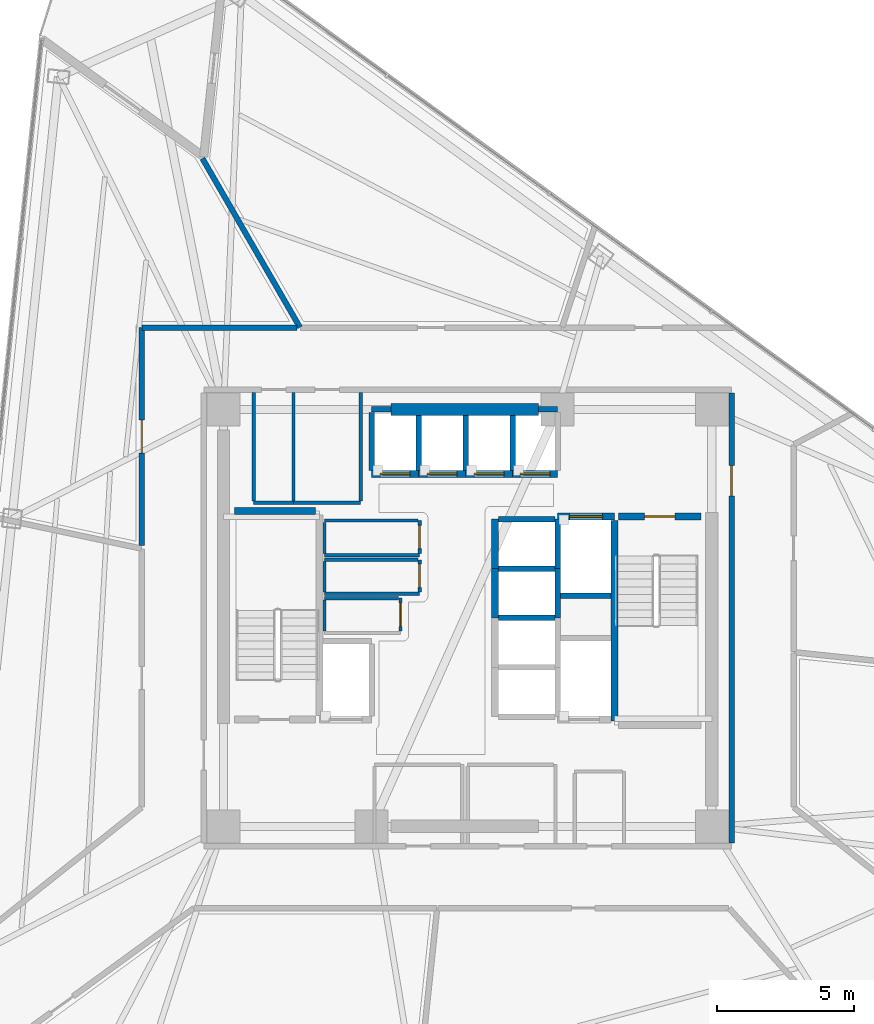
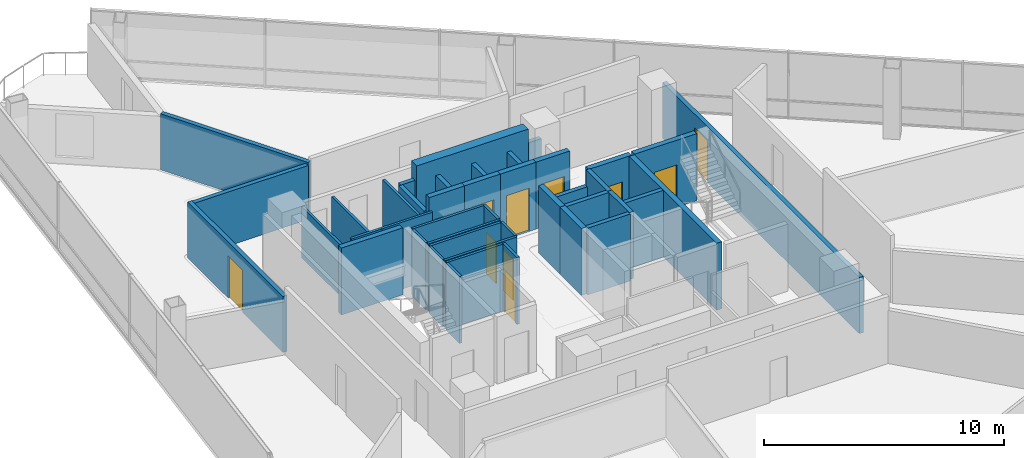
# One storey, part 12 of 19: 43 walls, 11 doors, 11 openings.
"""IFC4 building model written with IfcOpenShell, lengths in metres."""

from ifc_helpers import new_model, si_unit, direction, frame, frame_2d, origin, place, context, subcontext, project, spatial, rectangle, extrude, material, layer, layer_set, type_object, element, fill, save


model = new_model("IFC4")

# Units and contexts
model_context = context("Model", 3, precision=1e-05, world=origin(), true_north=direction((0.0, 1.0)))
body_context = subcontext(model_context, "Body", "Model", "MODEL_VIEW")
ifc_project = project(units=[si_unit("LENGTHUNIT", "METRE"), si_unit("AREAUNIT", "SQUARE_METRE"), si_unit("VOLUMEUNIT", "CUBIC_METRE"), si_unit("PLANEANGLEUNIT", "RADIAN"), si_unit("MASSUNIT", "GRAM", prefix="KILO")], contexts=[model_context])

# Site, building, storey
site_placement = place(None, origin())
site = spatial("IfcSite", under=ifc_project, at=site_placement, CompositionType="ELEMENT")
building_placement = place(site_placement, origin())
building = spatial("IfcBuilding", under=site, at=building_placement, Name="Tharavind Bronze Gate", CompositionType="ELEMENT")
storey_placement = place(building_placement, frame((0.0, 0.0, 126.85009765625)))
storey = spatial("IfcBuildingStorey", under=building, at=storey_placement, Name="L32", CompositionType="ELEMENT", Elevation=126.85009765625)

# Wall, opening, door
ifc_material_1 = material(Name="Aerated Concrete Block", Category="concrete")
ifc_layer_1 = layer(ifc_material_1, 0.199951171875)
ifc_layer_set_1 = layer_set([ifc_layer_1], Name="Aerated Concrete Block")
wall_type_1 = type_object("IfcWallType", Name="FIRE RATED PARTITION 200", PredefinedType="PARTITIONING", material=ifc_layer_set_1)
wall_1_placement = place(storey_placement, frame((9.6201171875, -8.199951171875, 0.0), z_axis=(0.0, 0.0, 1.0), x_axis=(0.0, 1.0, 0.0)))
wall_1 = element("IfcWall", 1, at=wall_1_placement, inside=storey, type_object=wall_type_1, Name="L32 east core corridor wall", PredefinedType="PARTITIONING", context=body_context, shape_type="SweptSolid", body=[
    extrude(rectangle(XDim=16.39990234375, YDim=0.199951171875, at=frame_2d((8.199951171875, 0.0))), origin(), (0.0, 0.0, 1.0), 2.85498046875),
])
opening_1_placement = place(wall_1_placement, frame((12.64990234375, 0.0, 0.0)))
opening_1 = element("IfcOpeningElement", 2, at=opening_1_placement, cuts=wall_1, Name="Opening ID01", PredefinedType="OPENING", context=body_context, shape_type="SweptSolid", body=[
    extrude(rectangle(XDim=1.10009765625, YDim=2.14990234375, at=frame_2d((0.550048828125, 1.074951171875))), frame((0.0, 0.11009765625, 0.0), z_axis=(0.0, -1.0, 0.0), x_axis=(1.0, 0.0, 0.0)), (0.0, 0.0, 1.0), 0.219951171875),
])
ifc_material_2 = material(Name="Fire-Rated Steel", Category="steel")
door_type_1 = type_object("IfcDoorType", Name="STAIR CORE FIRE DOOR 1100X2150", OperationType="SINGLE_SWING_LEFT", PredefinedType="DOOR", material=ifc_material_2)
door_1_placement = place(opening_1_placement, frame((1.10009765625, 0.0, 0.0), z_axis=(0.0, 0.0, 1.0), x_axis=(-1.0, 0.0, 0.0)))
door_1 = element("IfcDoor", 3, at=door_1_placement, inside=storey, type_object=door_type_1, Name="L32 north east stair lobby fire door", OperationType="SINGLE_SWING_LEFT", OverallHeight=2.14990234375, OverallWidth=1.10009765625, PredefinedType="DOOR", context=body_context, shape_type="SweptSolid", body=[
    extrude(rectangle(XDim=1.10009765625, YDim=2.14990234375, at=frame_2d((0.550048828125, 1.074951171875))), frame((0.0, 0.02490234375, 0.0), z_axis=(0.0, -1.0, 0.0), x_axis=(1.0, 0.0, 0.0)), (0.0, 0.0, 1.0), 0.050048828125),
])
fill(opening_1, door_1)

# Walls
wall_2_placement = place(storey_placement, frame((-6.115478515625, 10.592529296875, 0.0), z_axis=(0.0, 0.0, 1.0), x_axis=(-0.50001885532, 0.866014517387, 0.0)))
element("IfcWall", 4, at=wall_2_placement, inside=storey, type_object=wall_type_1, Name="L32 Risk Analytics Office partition", PredefinedType="PARTITIONING", context=body_context, shape_type="SweptSolid", body=[
    extrude(rectangle(XDim=7.106201171875, YDim=0.199951171875, at=frame_2d((3.55322265625, 0.0))), origin(), (0.0, 0.0, 1.0), 2.85498046875),
])
wall_3_placement = place(storey_placement, frame((-6.2294921875, 10.580078125, 0.0), z_axis=(0.0, 0.0, 1.0), x_axis=(-1.0, 0.0, 0.0)))
element("IfcWall", 5, at=wall_3_placement, inside=storey, type_object=wall_type_1, Name="L32 Compliance Boardroom partition", PredefinedType="PARTITIONING", context=body_context, shape_type="SweptSolid", body=[
    extrude(rectangle(XDim=5.64990234375, YDim=0.199951171875, at=frame_2d((2.824951171875, 0.0))), origin(), (0.0, 0.0, 1.0), 2.7548828125),
])

# Wall, opening, door
wall_4_placement = place(storey_placement, frame((-11.8798828125, 10.579345703125, 0.0), z_axis=(0.0, 0.0, 1.0), x_axis=(0.0, -1.0, 0.0)))
wall_4 = element("IfcWall", 6, at=wall_4_placement, inside=storey, type_object=wall_type_1, Name="L32 Compliance Boardroom partition", PredefinedType="PARTITIONING", context=body_context, shape_type="SweptSolid", body=[
    extrude(rectangle(XDim=7.94677734375, YDim=0.199951171875, at=frame_2d((3.973388671875, 0.0))), origin(), (0.0, 0.0, 1.0), 2.85498046875),
])
opening_2_placement = place(wall_4_placement, frame((3.373046875, 0.0, 0.0)))
opening_2 = element("IfcOpeningElement", 7, at=opening_2_placement, cuts=wall_4, Name="Opening ID05", PredefinedType="OPENING", context=body_context, shape_type="SweptSolid", body=[
    extrude(rectangle(XDim=1.199951171875, YDim=2.14990234375, at=frame_2d((0.60009765625, 1.074951171875))), frame((0.0, 0.11009765625, 0.0), z_axis=(0.0, -1.0, 0.0), x_axis=(1.0, 0.0, 0.0)), (0.0, 0.0, 1.0), 0.219951171875),
])
ifc_material_3 = material(Name="Acoustic Laminated Glass", Category="glass")
door_type_2 = type_object("IfcDoorType", Name="MEETING ROOM GLAZED DOOR 1200X2150", OperationType="SINGLE_SWING_LEFT", PredefinedType="DOOR", material=ifc_material_3)
door_2_placement = place(opening_2_placement, origin())
door_2 = element("IfcDoor", 8, at=door_2_placement, inside=storey, type_object=door_type_2, Name="L32 Compliance Boardroom door", OperationType="SINGLE_SWING_LEFT", OverallHeight=2.14990234375, OverallWidth=1.199951171875, PredefinedType="DOOR", context=body_context, shape_type="SweptSolid", body=[
    extrude(rectangle(XDim=1.199951171875, YDim=2.14990234375, at=frame_2d((0.60009765625, 1.074951171875))), frame((0.0, 0.02490234375, 0.0), z_axis=(0.0, -1.0, 0.0), x_axis=(1.0, 0.0, 0.0)), (0.0, 0.0, 1.0), 0.050048828125),
])
fill(opening_2, door_2)

# Wall
ifc_material_4 = material(Name="Metal Stud Gypsum Partition", Category="gypsum")
ifc_layer_2 = layer(ifc_material_4, 0.1201171875)
ifc_layer_set_2 = layer_set([ifc_layer_2], Name="Metal Stud Gypsum Partition")
wall_type_2 = type_object("IfcWallType", Name="INTERIOR PARTITION WALL 120", PredefinedType="PARTITIONING", material=ifc_layer_set_2)
wall_5_placement = place(storey_placement, frame((-5.219970703125, 2.280029296875, 0.0), z_axis=(0.0, 0.0, 1.0), x_axis=(1.0, 0.0, 0.0)))
element("IfcWall", 9, at=wall_5_placement, inside=storey, type_object=wall_type_2, Name="L32 Housekeeping Linen Store partition 1", PredefinedType="PARTITIONING", context=body_context, shape_type="SweptSolid", body=[
    extrude(rectangle(XDim=3.469970703125, YDim=0.1201171875, at=frame_2d((1.73486328125, 0.0))), origin(), (0.0, 0.0, 1.0), 3.409912109375),
])

# Wall, opening, door
wall_6_placement = place(storey_placement, frame((-1.75, 2.344970703125, 0.0), z_axis=(0.0, 0.0, 1.0), x_axis=(0.0, 1.0, 0.0)))
wall_6 = element("IfcWall", 10, at=wall_6_placement, inside=storey, type_object=wall_type_2, Name="L32 Housekeeping Linen Store partition 2", PredefinedType="PARTITIONING", context=body_context, shape_type="SweptSolid", body=[
    extrude(rectangle(XDim=1.205078125, YDim=0.1201171875, at=frame_2d((0.6025390625, 0.0))), origin(), (0.0, 0.0, 1.0), 3.409912109375),
])
opening_3_placement = place(wall_6_placement, frame((0.177001953125, 0.0, 0.0)))
opening_3 = element("IfcOpeningElement", 11, at=opening_3_placement, cuts=wall_6, Name="Opening ID06", PredefinedType="OPENING", context=body_context, shape_type="SweptSolid", body=[
    extrude(rectangle(XDim=0.85009765625, YDim=2.10009765625, at=frame_2d((0.425048828125, 1.050048828125))), frame((0.0, 0.07005859375, 0.0), z_axis=(0.0, -1.0, 0.0), x_axis=(1.0, 0.0, 0.0)), (0.0, 0.0, 1.0), 0.1401171875),
])
ifc_material_5 = material(Name="Moisture-Resistant Timber", Category="wood")
door_type_3 = type_object("IfcDoorType", Name="BATHROOM PRIVACY DOOR 850X2100", OperationType="SINGLE_SWING_RIGHT", PredefinedType="DOOR", material=ifc_material_5)
door_3_placement = place(opening_3_placement, frame((0.85009765625, 0.0, 0.0), z_axis=(0.0, 0.0, 1.0), x_axis=(-1.0, 0.0, 0.0)))
door_3 = element("IfcDoor", 12, at=door_3_placement, inside=storey, type_object=door_type_3, Name="L32 Housekeeping Linen Store door", OperationType="SINGLE_SWING_RIGHT", OverallHeight=2.10009765625, OverallWidth=0.85009765625, PredefinedType="DOOR", context=body_context, shape_type="SweptSolid", body=[
    extrude(rectangle(XDim=0.85009765625, YDim=2.10009765625, at=frame_2d((0.425048828125, 1.050048828125))), frame((0.0, 0.02490234375, 0.0), z_axis=(0.0, -1.0, 0.0), x_axis=(1.0, 0.0, 0.0)), (0.0, 0.0, 1.0), 0.050048828125),
])
fill(opening_3, door_3)

# Walls
wall_7_placement = place(storey_placement, frame((-1.81494140625, 3.550048828125, 0.0), z_axis=(0.0, 0.0, 1.0), x_axis=(-1.0, 0.0, 0.0)))
element("IfcWall", 13, at=wall_7_placement, inside=storey, type_object=wall_type_2, Name="L32 Housekeeping Linen Store partition 3", PredefinedType="PARTITIONING", context=body_context, shape_type="SweptSolid", body=[
    extrude(rectangle(XDim=3.405029296875, YDim=0.1201171875, at=frame_2d((1.70263671875, 0.0))), origin(), (0.0, 0.0, 1.0), 3.409912109375),
])
wall_8_placement = place(storey_placement, frame((-5.219970703125, 3.485107421875, 0.0), z_axis=(0.0, 0.0, 1.0), x_axis=(0.0, -1.0, 0.0)))
element("IfcWall", 14, at=wall_8_placement, inside=storey, type_object=wall_type_2, Name="L32 Housekeeping Linen Store partition 4", PredefinedType="PARTITIONING", context=body_context, shape_type="SweptSolid", body=[
    extrude(rectangle(XDim=1.14013671875, YDim=0.1201171875, at=frame_2d((0.570068359375, 0.0))), origin(), (0.0, 0.0, 1.0), 3.409912109375),
])
wall_9_placement = place(storey_placement, frame((-5.219970703125, 0.8798828125, 0.0), z_axis=(0.0, 0.0, 1.0), x_axis=(1.0, 0.0, 0.0)))
element("IfcWall", 15, at=wall_9_placement, inside=storey, type_object=wall_type_2, Name="L32 Comms Data Room partition 1", PredefinedType="PARTITIONING", context=body_context, shape_type="SweptSolid", body=[
    extrude(rectangle(XDim=3.469970703125, YDim=0.1201171875, at=frame_2d((1.73486328125, 0.0))), origin(), (0.0, 0.0, 1.0), 3.409912109375),
])

# Wall, opening, door
wall_10_placement = place(storey_placement, frame((-1.75, 0.945068359375, 0.0), z_axis=(0.0, 0.0, 1.0), x_axis=(0.0, 1.0, 0.0)))
wall_10 = element("IfcWall", 16, at=wall_10_placement, inside=storey, type_object=wall_type_2, Name="L32 Comms Data Room partition 2", PredefinedType="PARTITIONING", context=body_context, shape_type="SweptSolid", body=[
    extrude(rectangle(XDim=1.175048828125, YDim=0.1201171875, at=frame_2d((0.58740234375, 0.0))), origin(), (0.0, 0.0, 1.0), 3.409912109375),
])
opening_4_placement = place(wall_10_placement, frame((0.1630859375, 0.0, 0.0)))
opening_4 = element("IfcOpeningElement", 17, at=opening_4_placement, cuts=wall_10, Name="Opening ID06", PredefinedType="OPENING", context=body_context, shape_type="SweptSolid", body=[
    extrude(rectangle(XDim=0.85009765625, YDim=2.10009765625, at=frame_2d((0.425048828125, 1.050048828125))), frame((0.0, 0.07005859375, 0.0), z_axis=(0.0, -1.0, 0.0), x_axis=(1.0, 0.0, 0.0)), (0.0, 0.0, 1.0), 0.1401171875),
])
door_4_placement = place(opening_4_placement, frame((0.85009765625, 0.0, 0.0), z_axis=(0.0, 0.0, 1.0), x_axis=(-1.0, 0.0, 0.0)))
door_4 = element("IfcDoor", 18, at=door_4_placement, inside=storey, type_object=door_type_3, Name="L32 Comms Data Room door", OperationType="SINGLE_SWING_RIGHT", OverallHeight=2.10009765625, OverallWidth=0.85009765625, PredefinedType="DOOR", context=body_context, shape_type="SweptSolid", body=[
    extrude(rectangle(XDim=0.85009765625, YDim=2.10009765625, at=frame_2d((0.425048828125, 1.050048828125))), frame((0.0, 0.02490234375, 0.0), z_axis=(0.0, -1.0, 0.0), x_axis=(1.0, 0.0, 0.0)), (0.0, 0.0, 1.0), 0.050048828125),
])
fill(opening_4, door_4)

# Walls
wall_11_placement = place(storey_placement, frame((-1.81494140625, 2.1201171875, 0.0), z_axis=(0.0, 0.0, 1.0), x_axis=(-1.0, 0.0, 0.0)))
element("IfcWall", 19, at=wall_11_placement, inside=storey, type_object=wall_type_2, Name="L32 Comms Data Room partition 3", PredefinedType="PARTITIONING", context=body_context, shape_type="SweptSolid", body=[
    extrude(rectangle(XDim=3.405029296875, YDim=0.1201171875, at=frame_2d((1.70263671875, 0.0))), origin(), (0.0, 0.0, 1.0), 3.409912109375),
])
wall_12_placement = place(storey_placement, frame((-5.219970703125, 2.054931640625, 0.0), z_axis=(0.0, 0.0, 1.0), x_axis=(0.0, -1.0, 0.0)))
element("IfcWall", 20, at=wall_12_placement, inside=storey, type_object=wall_type_2, Name="L32 Comms Data Room partition 4", PredefinedType="PARTITIONING", context=body_context, shape_type="SweptSolid", body=[
    extrude(rectangle(XDim=1.10986328125, YDim=0.1201171875, at=frame_2d((0.554931640625, 0.0))), origin(), (0.0, 0.0, 1.0), 3.409912109375),
])

# Wall, opening, door
wall_13_placement = place(storey_placement, frame((-2.449951171875, -0.485107421875, 0.0), z_axis=(0.0, 0.0, 1.0), x_axis=(0.0, 1.0, 0.0)))
wall_13 = element("IfcWall", 21, at=wall_13_placement, inside=storey, type_object=wall_type_2, Name="L32 Electrical Metering Store partition 2", PredefinedType="PARTITIONING", context=body_context, shape_type="SweptSolid", body=[
    extrude(rectangle(XDim=1.205078125, YDim=0.1201171875, at=frame_2d((0.6025390625, 0.0))), origin(), (0.0, 0.0, 1.0), 3.409912109375),
])
opening_5_placement = place(wall_13_placement, frame((0.177978515625, 0.0, 0.0)))
opening_5 = element("IfcOpeningElement", 22, at=opening_5_placement, cuts=wall_13, Name="Opening ID06", PredefinedType="OPENING", context=body_context, shape_type="SweptSolid", body=[
    extrude(rectangle(XDim=0.85009765625, YDim=2.10009765625, at=frame_2d((0.425048828125, 1.050048828125))), frame((0.0, 0.07005859375, 0.0), z_axis=(0.0, -1.0, 0.0), x_axis=(1.0, 0.0, 0.0)), (0.0, 0.0, 1.0), 0.1401171875),
])
door_5_placement = place(opening_5_placement, frame((0.85009765625, 0.0, 0.0), z_axis=(0.0, 0.0, 1.0), x_axis=(-1.0, 0.0, 0.0)))
door_5 = element("IfcDoor", 23, at=door_5_placement, inside=storey, type_object=door_type_3, Name="L32 Electrical Metering Store door", OperationType="SINGLE_SWING_RIGHT", OverallHeight=2.10009765625, OverallWidth=0.85009765625, PredefinedType="DOOR", context=body_context, shape_type="SweptSolid", body=[
    extrude(rectangle(XDim=0.85009765625, YDim=2.10009765625, at=frame_2d((0.425048828125, 1.050048828125))), frame((0.0, 0.02490234375, 0.0), z_axis=(0.0, -1.0, 0.0), x_axis=(1.0, 0.0, 0.0)), (0.0, 0.0, 1.0), 0.050048828125),
])
fill(opening_5, door_5)

# Walls
wall_14_placement = place(storey_placement, frame((-2.514892578125, 0.719970703125, 0.0), z_axis=(0.0, 0.0, 1.0), x_axis=(-1.0, 0.0, 0.0)))
element("IfcWall", 24, at=wall_14_placement, inside=storey, type_object=wall_type_2, Name="L32 Electrical Metering Store partition 3", PredefinedType="PARTITIONING", context=body_context, shape_type="SweptSolid", body=[
    extrude(rectangle(XDim=2.705078125, YDim=0.1201171875, at=frame_2d((1.3525390625, 0.0))), origin(), (0.0, 0.0, 1.0), 3.409912109375),
])
wall_15_placement = place(storey_placement, frame((-5.219970703125, 0.655029296875, 0.0), z_axis=(0.0, 0.0, 1.0), x_axis=(0.0, -1.0, 0.0)))
element("IfcWall", 25, at=wall_15_placement, inside=storey, type_object=wall_type_2, Name="L32 Electrical Metering Store partition 4", PredefinedType="PARTITIONING", context=body_context, shape_type="SweptSolid", body=[
    extrude(rectangle(XDim=1.14013671875, YDim=0.1201171875, at=frame_2d((0.570068359375, 0.0))), origin(), (0.0, 0.0, 1.0), 3.409912109375),
])
wall_16_placement = place(storey_placement, frame((-7.800048828125, 4.199951171875, 0.0), z_axis=(0.0, 0.0, 1.0), x_axis=(1.0, 0.0, 0.0)))
element("IfcWall", 26, at=wall_16_placement, inside=storey, type_object=wall_type_2, Name="L32 Battery Backup Cupboard partition 1", PredefinedType="PARTITIONING", context=body_context, shape_type="SweptSolid", body=[
    extrude(rectangle(XDim=1.449951171875, YDim=0.1201171875, at=frame_2d((0.72509765625, 0.0))), origin(), (0.0, 0.0, 1.0), 3.409912109375),
])
for number, where, z_axis, x_axis, name in (
    (27, (-6.35009765625, 4.264892578125, 0.0), (0.0, 0.0, 1.0), (0.0, 1.0, 0.0), "L32 Battery Backup Cupboard partition 2"),
    (28, (-7.800048828125, 8.215087890625, 0.0), (0.0, 0.0, 1.0), (0.0, -1.0, 0.0), "L32 Battery Backup Cupboard partition 4"),
):
    element("IfcWall", number, at=place(storey_placement, frame(where, z_axis=z_axis, x_axis=x_axis)), inside=storey, type_object=wall_type_2, Name=name, PredefinedType="PARTITIONING", context=body_context, shape_type="SweptSolid", body=[
        extrude(rectangle(XDim=3.9501953125, YDim=0.1201171875, at=frame_2d((1.97509765625, 0.0))), origin(), (0.0, 0.0, 1.0), 2.60498046875),
    ])
wall_17_placement = place(storey_placement, frame((-6.35009765625, 4.199951171875, 0.0), z_axis=(0.0, 0.0, 1.0), x_axis=(1.0, 0.0, 0.0)))
element("IfcWall", 29, at=wall_17_placement, inside=storey, type_object=wall_type_2, Name="L32 Cleaner Store Room partition 1", PredefinedType="PARTITIONING", context=body_context, shape_type="SweptSolid", body=[
    extrude(rectangle(XDim=2.4501953125, YDim=0.1201171875, at=frame_2d((1.22509765625, 0.0))), origin(), (0.0, 0.0, 1.0), 3.409912109375),
])
wall_18_placement = place(storey_placement, frame((-3.89990234375, 4.264892578125, 0.0), z_axis=(0.0, 0.0, 1.0), x_axis=(0.0, 1.0, 0.0)))
element("IfcWall", 30, at=wall_18_placement, inside=storey, type_object=wall_type_2, Name="L32 Cleaner Store Room partition 2", PredefinedType="PARTITIONING", context=body_context, shape_type="SweptSolid", body=[
    extrude(rectangle(XDim=3.9501953125, YDim=0.1201171875, at=frame_2d((1.97509765625, 0.0))), origin(), (0.0, 0.0, 1.0), 2.60498046875),
])
ifc_material_6 = material(Name="Concrete C50/60", Category="concrete")
ifc_layer_3 = layer(ifc_material_6, 0.25)
ifc_layer_set_3 = layer_set([ifc_layer_3], Name="Concrete C50/60")
wall_type_3 = type_object("IfcWallType", Name="RC CORE SHEAR WALL 250", PredefinedType="SHEAR", material=ifc_layer_set_3)
wall_19_placement = place(storey_placement, frame((-8.5, 3.89990234375, 0.0), z_axis=(0.0, 0.0, 1.0), x_axis=(1.0, 0.0, 0.0)))
element("IfcWall", 31, at=wall_19_placement, inside=storey, type_object=wall_type_3, Name="L32 ST1 shaft north wall", PredefinedType="SHEAR", context=body_context, shape_type="SweptSolid", body=[
    extrude(rectangle(XDim=2.949951171875, YDim=0.25, at=frame_2d((1.47509765625, 0.0))), origin(), (0.0, 0.0, 1.0), 3.409912109375),
])
wall_20_placement = place(storey_placement, frame((5.35009765625, -3.75, 0.0), z_axis=(0.0, 0.0, 1.0), x_axis=(0.0, 1.0, 0.0)))
element("IfcWall", 32, at=wall_20_placement, inside=storey, type_object=wall_type_3, Name="L32 ST2 shaft west wall", PredefinedType="SHEAR", context=body_context, shape_type="SweptSolid", body=[
    extrude(rectangle(XDim=7.300048828125, YDim=0.25, at=frame_2d((3.64990234375, 0.0))), origin(), (0.0, 0.0, 1.0), 3.409912109375),
])

# Wall, opening, door
wall_21_placement = place(storey_placement, frame((5.5, 3.699951171875, 0.0), z_axis=(0.0, 0.0, 1.0), x_axis=(1.0, 0.0, 0.0)))
wall_21 = element("IfcWall", 33, at=wall_21_placement, inside=storey, type_object=wall_type_3, Name="L32 ST2 shaft north wall", PredefinedType="SHEAR", context=body_context, shape_type="SweptSolid", body=[
    extrude(rectangle(XDim=3.0, YDim=0.25, at=frame_2d((1.5, 0.0))), origin(), (0.0, 0.0, 1.0), 3.409912109375),
])
opening_6_placement = place(wall_21_placement, frame((0.949951171875, 0.0, 0.0)))
opening_6 = element("IfcOpeningElement", 34, at=opening_6_placement, cuts=wall_21, Name="Opening ID01", PredefinedType="OPENING", context=body_context, shape_type="SweptSolid", body=[
    extrude(rectangle(XDim=1.10009765625, YDim=2.14990234375, at=frame_2d((0.550048828125, 1.074951171875))), frame((0.0, 0.135, 0.0), z_axis=(0.0, -1.0, 0.0), x_axis=(1.0, 0.0, 0.0)), (0.0, 0.0, 1.0), 0.27),
])
door_6_placement = place(opening_6_placement, frame((1.10009765625, 0.0, 0.0), z_axis=(0.0, 0.0, 1.0), x_axis=(-1.0, 0.0, 0.0)))
door_6 = element("IfcDoor", 35, at=door_6_placement, inside=storey, type_object=door_type_1, Name="L32 exit stair ST2 fire door", OperationType="SINGLE_SWING_LEFT", OverallHeight=2.14990234375, OverallWidth=1.10009765625, PredefinedType="DOOR", context=body_context, shape_type="SweptSolid", body=[
    extrude(rectangle(XDim=1.10009765625, YDim=2.14990234375, at=frame_2d((0.550048828125, 1.074951171875))), frame((0.0, 0.02490234375, 0.0), z_axis=(0.0, -1.0, 0.0), x_axis=(1.0, 0.0, 0.0)), (0.0, 0.0, 1.0), 0.050048828125),
])
fill(opening_6, door_6)

wall_22_placement = place(storey_placement, frame((-3.5, 5.25, 0.0), z_axis=(0.0, 0.0, 1.0), x_axis=(1.0, 0.0, 0.0)))
wall_22 = element("IfcWall", 36, at=wall_22_placement, inside=storey, type_object=wall_type_3, Name="L32 lift PL5 shaft front wall", PredefinedType="SHEAR", context=body_context, shape_type="SweptSolid", body=[
    extrude(rectangle(XDim=1.71240234375, YDim=0.25, at=frame_2d((0.856201171875, 0.0))), origin(), (0.0, 0.0, 1.0), 3.409912109375),
])
opening_7_placement = place(wall_22_placement, frame((0.305908203125, 0.0, 0.0)))
opening_7 = element("IfcOpeningElement", 37, at=opening_7_placement, cuts=wall_22, Name="Opening LD01", PredefinedType="OPENING", context=body_context, shape_type="SweptSolid", body=[
    extrude(rectangle(XDim=1.10009765625, YDim=2.199951171875, at=frame_2d((0.550048828125, 1.10009765625))), frame((0.0, 0.135, 0.0), z_axis=(0.0, -1.0, 0.0), x_axis=(1.0, 0.0, 0.0)), (0.0, 0.0, 1.0), 0.27),
])
ifc_material_7 = material(Name="Brushed Bronze Stainless Steel", Category="steel")
door_type_4 = type_object("IfcDoorType", Name="LIFT LANDING SLIDING DOOR 1100X2200", OperationType="SLIDING_TO_LEFT", PredefinedType="DOOR", material=ifc_material_7)
door_7_placement = place(opening_7_placement, origin())
door_7 = element("IfcDoor", 38, at=door_7_placement, inside=storey, type_object=door_type_4, Name="L32 lift PL5 sliding landing door", OperationType="SLIDING_TO_LEFT", OverallHeight=2.199951171875, OverallWidth=1.10009765625, PredefinedType="DOOR", context=body_context, shape_type="SweptSolid", body=[
    extrude(rectangle(XDim=1.10009765625, YDim=2.199951171875, at=frame_2d((0.550048828125, 1.10009765625))), frame((0.0, 0.02490234375, 0.0), z_axis=(0.0, -1.0, 0.0), x_axis=(1.0, 0.0, 0.0)), (0.0, 0.0, 1.0), 0.050048828125),
])
fill(opening_7, door_7)

wall_23_placement = place(storey_placement, frame((-1.78759765625, 5.25, 0.0), z_axis=(0.0, 0.0, 1.0), x_axis=(1.0, 0.0, 0.0)))
wall_23 = element("IfcWall", 39, at=wall_23_placement, inside=storey, type_object=wall_type_3, Name="L32 lift PL6 shaft front wall", PredefinedType="SHEAR", context=body_context, shape_type="SweptSolid", body=[
    extrude(rectangle(XDim=1.712646484375, YDim=0.25, at=frame_2d((0.8564453125, 0.0))), origin(), (0.0, 0.0, 1.0), 3.409912109375),
])
opening_8_placement = place(wall_23_placement, frame((0.305908203125, 0.0, 0.0)))
opening_8 = element("IfcOpeningElement", 40, at=opening_8_placement, cuts=wall_23, Name="Opening LD01", PredefinedType="OPENING", context=body_context, shape_type="SweptSolid", body=[
    extrude(rectangle(XDim=1.10009765625, YDim=2.199951171875, at=frame_2d((0.550048828125, 1.10009765625))), frame((0.0, 0.135, 0.0), z_axis=(0.0, -1.0, 0.0), x_axis=(1.0, 0.0, 0.0)), (0.0, 0.0, 1.0), 0.27),
])
door_8_placement = place(opening_8_placement, origin())
door_8 = element("IfcDoor", 41, at=door_8_placement, inside=storey, type_object=door_type_4, Name="L32 lift PL6 sliding landing door", OperationType="SLIDING_TO_LEFT", OverallHeight=2.199951171875, OverallWidth=1.10009765625, PredefinedType="DOOR", context=body_context, shape_type="SweptSolid", body=[
    extrude(rectangle(XDim=1.10009765625, YDim=2.199951171875, at=frame_2d((0.550048828125, 1.10009765625))), frame((0.0, 0.02490234375, 0.0), z_axis=(0.0, -1.0, 0.0), x_axis=(1.0, 0.0, 0.0)), (0.0, 0.0, 1.0), 0.050048828125),
])
fill(opening_8, door_8)

wall_24_placement = place(storey_placement, frame((-0.074951171875, 5.25, 0.0), z_axis=(0.0, 0.0, 1.0), x_axis=(1.0, 0.0, 0.0)))
wall_24 = element("IfcWall", 42, at=wall_24_placement, inside=storey, type_object=wall_type_3, Name="L32 lift PL7 shaft front wall", PredefinedType="SHEAR", context=body_context, shape_type="SweptSolid", body=[
    extrude(rectangle(XDim=1.71240234375, YDim=0.25, at=frame_2d((0.856201171875, 0.0))), origin(), (0.0, 0.0, 1.0), 3.409912109375),
])
opening_9_placement = place(wall_24_placement, frame((0.305908203125, 0.0, 0.0)))
opening_9 = element("IfcOpeningElement", 43, at=opening_9_placement, cuts=wall_24, Name="Opening LD01", PredefinedType="OPENING", context=body_context, shape_type="SweptSolid", body=[
    extrude(rectangle(XDim=1.10009765625, YDim=2.199951171875, at=frame_2d((0.550048828125, 1.10009765625))), frame((0.0, 0.135, 0.0), z_axis=(0.0, -1.0, 0.0), x_axis=(1.0, 0.0, 0.0)), (0.0, 0.0, 1.0), 0.27),
])
door_9_placement = place(opening_9_placement, origin())
door_9 = element("IfcDoor", 44, at=door_9_placement, inside=storey, type_object=door_type_4, Name="L32 lift PL7 sliding landing door", OperationType="SLIDING_TO_LEFT", OverallHeight=2.199951171875, OverallWidth=1.10009765625, PredefinedType="DOOR", context=body_context, shape_type="SweptSolid", body=[
    extrude(rectangle(XDim=1.10009765625, YDim=2.199951171875, at=frame_2d((0.550048828125, 1.10009765625))), frame((0.0, 0.02490234375, 0.0), z_axis=(0.0, -1.0, 0.0), x_axis=(1.0, 0.0, 0.0)), (0.0, 0.0, 1.0), 0.050048828125),
])
fill(opening_9, door_9)

wall_25_placement = place(storey_placement, frame((1.637451171875, 5.25, 0.0), z_axis=(0.0, 0.0, 1.0), x_axis=(1.0, 0.0, 0.0)))
wall_25 = element("IfcWall", 45, at=wall_25_placement, inside=storey, type_object=wall_type_3, Name="L32 lift PL8 shaft front wall", PredefinedType="SHEAR", context=body_context, shape_type="SweptSolid", body=[
    extrude(rectangle(XDim=1.642578125, YDim=0.25, at=frame_2d((0.8212890625, 0.0))), origin(), (0.0, 0.0, 1.0), 3.409912109375),
])
opening_10_placement = place(wall_25_placement, frame((0.27099609375, 0.0, 0.0)))
opening_10 = element("IfcOpeningElement", 46, at=opening_10_placement, cuts=wall_25, Name="Opening LD01", PredefinedType="OPENING", context=body_context, shape_type="SweptSolid", body=[
    extrude(rectangle(XDim=1.10009765625, YDim=2.199951171875, at=frame_2d((0.550048828125, 1.10009765625))), frame((0.0, 0.135, 0.0), z_axis=(0.0, -1.0, 0.0), x_axis=(1.0, 0.0, 0.0)), (0.0, 0.0, 1.0), 0.27),
])
door_10_placement = place(opening_10_placement, origin())
door_10 = element("IfcDoor", 47, at=door_10_placement, inside=storey, type_object=door_type_4, Name="L32 lift PL8 sliding landing door", OperationType="SLIDING_TO_LEFT", OverallHeight=2.199951171875, OverallWidth=1.10009765625, PredefinedType="DOOR", context=body_context, shape_type="SweptSolid", body=[
    extrude(rectangle(XDim=1.10009765625, YDim=2.199951171875, at=frame_2d((0.550048828125, 1.10009765625))), frame((0.0, 0.02490234375, 0.0), z_axis=(0.0, -1.0, 0.0), x_axis=(1.0, 0.0, 0.0)), (0.0, 0.0, 1.0), 0.050048828125),
])
fill(opening_10, door_10)

# Walls
for number, where, z_axis, x_axis, name in (
    (48, (1.0, 0.0, 0.0), (0.0, 0.0, 1.0), (0.0, 1.0, 0.0), "L32 lift PL11 shaft front wall"),
    (49, (1.0, 1.800048828125, 0.0), (0.0, 0.0, 1.0), (0.0, 1.0, 0.0), "L32 lift PL12 shaft front wall"),
):
    element("IfcWall", number, at=place(storey_placement, frame(where, z_axis=z_axis, x_axis=x_axis)), inside=storey, type_object=wall_type_3, Name=name, PredefinedType="SHEAR", context=body_context, shape_type="SweptSolid", body=[
        extrude(rectangle(XDim=1.800048828125, YDim=0.25, at=frame_2d((0.89990234375, 0.0))), origin(), (0.0, 0.0, 1.0), 3.409912109375),
    ])

# Wall, opening, door
wall_26_placement = place(storey_placement, frame((3.280029296875, 3.699951171875, 0.0), z_axis=(0.0, 0.0, 1.0), x_axis=(1.0, 0.0, 0.0)))
wall_26 = element("IfcWall", 50, at=wall_26_placement, inside=storey, type_object=wall_type_3, Name="L32 lift FFL2 shaft front wall", PredefinedType="SHEAR", context=body_context, shape_type="SweptSolid", body=[
    extrude(rectangle(XDim=2.070068359375, YDim=0.25, at=frame_2d((1.03515625, 0.0))), origin(), (0.0, 0.0, 1.0), 3.409912109375),
])
opening_11_placement = place(wall_26_placement, frame((0.43505859375, 0.0, 0.0)))
opening_11 = element("IfcOpeningElement", 51, at=opening_11_placement, cuts=wall_26, Name="Opening LD02", PredefinedType="OPENING", context=body_context, shape_type="SweptSolid", body=[
    extrude(rectangle(XDim=1.199951171875, YDim=2.199951171875, at=frame_2d((0.60009765625, 1.10009765625))), frame((0.0, 0.135, 0.0), z_axis=(0.0, -1.0, 0.0), x_axis=(1.0, 0.0, 0.0)), (0.0, 0.0, 1.0), 0.27),
])
ifc_material_8 = material(Name="Brushed Stainless Steel", Category="steel")
door_type_5 = type_object("IfcDoorType", Name="FIREFIGHTING LIFT LANDING DOOR 1200X2200", OperationType="SLIDING_TO_RIGHT", PredefinedType="DOOR", material=ifc_material_8)
door_11_placement = place(opening_11_placement, origin())
door_11 = element("IfcDoor", 52, at=door_11_placement, inside=storey, type_object=door_type_5, Name="L32 lift FFL2 sliding landing door", OperationType="SLIDING_TO_RIGHT", OverallHeight=2.199951171875, OverallWidth=1.199951171875, PredefinedType="DOOR", context=body_context, shape_type="SweptSolid", body=[
    extrude(rectangle(XDim=1.199951171875, YDim=2.199951171875, at=frame_2d((0.60009765625, 1.10009765625))), frame((0.0, 0.02490234375, 0.0), z_axis=(0.0, -1.0, 0.0), x_axis=(1.0, 0.0, 0.0)), (0.0, 0.0, 1.0), 0.050048828125),
])
fill(opening_11, door_11)

# Walls
ifc_material_9 = material(Name="Concrete C60/75", Category="concrete")
ifc_layer_4 = layer(ifc_material_9, 0.449951171875)
ifc_layer_set_4 = layer_set([ifc_layer_4], Name="Concrete C60/75")
wall_type_4 = type_object("IfcWallType", Name="RC CORE SHEAR WALL 450", PredefinedType="SHEAR", material=ifc_layer_set_4)
wall_27_placement = place(storey_placement, frame((-2.800048828125, 7.60009765625, 0.0), z_axis=(0.0, 0.0, 1.0), x_axis=(1.0, 0.0, 0.0)))
element("IfcWall", 53, at=wall_27_placement, inside=storey, type_object=wall_type_4, Name="L32 north core shear wall", PredefinedType="SHEAR", context=body_context, shape_type="SweptSolid", body=[
    extrude(rectangle(XDim=5.380126953125, YDim=0.449951171875, at=frame_2d((2.68994140625, 0.0))), origin(), (0.0, 0.0, 1.0), 3.409912109375),
])
ifc_material_10 = material(Name="Concrete C40/50", Category="concrete")
ifc_layer_5 = layer(ifc_material_10, 0.199951171875)
ifc_layer_set_5 = layer_set([ifc_layer_5], Name="Concrete C40/50")
wall_type_5 = type_object("IfcWallType", Name="SHAFT ENCLOSURE WALL 200", PredefinedType="PARTITIONING", material=ifc_layer_set_5)
wall_28_placement = place(storey_placement, frame((-3.5, 7.60009765625, 0.0), z_axis=(0.0, 0.0, 1.0), x_axis=(1.0, 0.0, 0.0)))
element("IfcWall", 54, at=wall_28_placement, inside=storey, type_object=wall_type_5, Name="L32 lift PL5 shaft N enclosure wall", PredefinedType="PARTITIONING", context=body_context, shape_type="SweptSolid", body=[
    extrude(rectangle(XDim=0.699951171875, YDim=0.199951171875, at=frame_2d((0.35009765625, 0.0))), origin(), (0.0, 0.0, 1.0), 2.60498046875),
])
wall_29_placement = place(storey_placement, frame((-3.5, 5.3798828125, 0.0), z_axis=(0.0, 0.0, 1.0), x_axis=(0.0, 1.0, 0.0)))
element("IfcWall", 55, at=wall_29_placement, inside=storey, type_object=wall_type_5, Name="L32 lift PL5 shaft W enclosure wall", PredefinedType="PARTITIONING", context=body_context, shape_type="SweptSolid", body=[
    extrude(rectangle(XDim=2.115234375, YDim=0.199951171875, at=frame_2d((1.0576171875, 0.0))), origin(), (0.0, 0.0, 1.0), 2.60498046875),
])
for number, where, z_axis, x_axis, name in (
    (56, (-1.78759765625, 5.3798828125, 0.0), (0.0, 0.0, 1.0), (0.0, 1.0, 0.0), "L32 lift PL5 shaft E enclosure wall"),
    (57, (-0.074951171875, 5.3798828125, 0.0), (0.0, 0.0, 1.0), (0.0, 1.0, 0.0), "L32 lift PL6 shaft E enclosure wall"),
    (58, (1.637451171875, 5.3798828125, 0.0), (0.0, 0.0, 1.0), (0.0, 1.0, 0.0), "L32 lift PL7 shaft E enclosure wall"),
):
    element("IfcWall", number, at=place(storey_placement, frame(where, z_axis=z_axis, x_axis=x_axis)), inside=storey, type_object=wall_type_5, Name=name, PredefinedType="PARTITIONING", context=body_context, shape_type="SweptSolid", body=[
        extrude(rectangle(XDim=1.990234375, YDim=0.199951171875, at=frame_2d((0.9951171875, 0.0))), origin(), (0.0, 0.0, 1.0), 2.60498046875),
    ])
wall_30_placement = place(storey_placement, frame((2.580078125, 7.60009765625, 0.0), z_axis=(0.0, 0.0, 1.0), x_axis=(1.0, 0.0, 0.0)))
element("IfcWall", 59, at=wall_30_placement, inside=storey, type_object=wall_type_5, Name="L32 lift PL8 shaft N enclosure wall", PredefinedType="PARTITIONING", context=body_context, shape_type="SweptSolid", body=[
    extrude(rectangle(XDim=0.699951171875, YDim=0.199951171875, at=frame_2d((0.35009765625, 0.0))), origin(), (0.0, 0.0, 1.0), 2.60498046875),
])
wall_31_placement = place(storey_placement, frame((1.1298828125, 0.0, 0.0), z_axis=(0.0, 0.0, 1.0), x_axis=(1.0, 0.0, 0.0)))
element("IfcWall", 60, at=wall_31_placement, inside=storey, type_object=wall_type_5, Name="L32 lift PL10 shaft N enclosure wall", PredefinedType="PARTITIONING", context=body_context, shape_type="SweptSolid", body=[
    extrude(rectangle(XDim=2.045166015625, YDim=0.199951171875, at=frame_2d((1.0224609375, 0.0))), origin(), (0.0, 0.0, 1.0), 3.409912109375),
])
wall_32_placement = place(storey_placement, frame((3.280029296875, 0.0, 0.0), z_axis=(0.0, 0.0, 1.0), x_axis=(0.0, 1.0, 0.0)))
element("IfcWall", 61, at=wall_32_placement, inside=storey, type_object=wall_type_5, Name="L32 lift PL11 shaft E enclosure wall", PredefinedType="PARTITIONING", context=body_context, shape_type="SweptSolid", body=[
    extrude(rectangle(XDim=1.800048828125, YDim=0.199951171875, at=frame_2d((0.89990234375, 0.0))), origin(), (0.0, 0.0, 1.0), 3.409912109375),
])
wall_33_placement = place(storey_placement, frame((1.1298828125, 1.800048828125, 0.0), z_axis=(0.0, 0.0, 1.0), x_axis=(1.0, 0.0, 0.0)))
element("IfcWall", 62, at=wall_33_placement, inside=storey, type_object=wall_type_5, Name="L32 lift PL11 shaft N enclosure wall", PredefinedType="PARTITIONING", context=body_context, shape_type="SweptSolid", body=[
    extrude(rectangle(XDim=2.045166015625, YDim=0.199951171875, at=frame_2d((1.0224609375, 0.0))), origin(), (0.0, 0.0, 1.0), 3.409912109375),
])
wall_34_placement = place(storey_placement, frame((3.280029296875, 1.800048828125, 0.0), z_axis=(0.0, 0.0, 1.0), x_axis=(0.0, 1.0, 0.0)))
element("IfcWall", 63, at=wall_34_placement, inside=storey, type_object=wall_type_5, Name="L32 lift PL12 shaft E enclosure wall", PredefinedType="PARTITIONING", context=body_context, shape_type="SweptSolid", body=[
    extrude(rectangle(XDim=1.800048828125, YDim=0.199951171875, at=frame_2d((0.89990234375, 0.0))), origin(), (0.0, 0.0, 1.0), 3.409912109375),
])
wall_35_placement = place(storey_placement, frame((1.1298828125, 3.60009765625, 0.0), z_axis=(0.0, 0.0, 1.0), x_axis=(1.0, 0.0, 0.0)))
element("IfcWall", 64, at=wall_35_placement, inside=storey, type_object=wall_type_5, Name="L32 lift PL12 shaft N enclosure wall", PredefinedType="PARTITIONING", context=body_context, shape_type="SweptSolid", body=[
    extrude(rectangle(XDim=2.045166015625, YDim=0.199951171875, at=frame_2d((1.0224609375, 0.0))), origin(), (0.0, 0.0, 1.0), 2.60498046875),
])
wall_36_placement = place(storey_placement, frame((3.385009765625, 0.800048828125, 0.0), z_axis=(0.0, 0.0, 1.0), x_axis=(1.0, 0.0, 0.0)))
element("IfcWall", 65, at=wall_36_placement, inside=storey, type_object=wall_type_5, Name="L32 lift FFL2 shaft S enclosure wall", PredefinedType="PARTITIONING", context=body_context, shape_type="SweptSolid", body=[
    extrude(rectangle(XDim=1.8349609375, YDim=0.199951171875, at=frame_2d((0.91748046875, 0.0))), origin(), (0.0, 0.0, 1.0), 3.409912109375),
])

save(model, "model.ifc")
